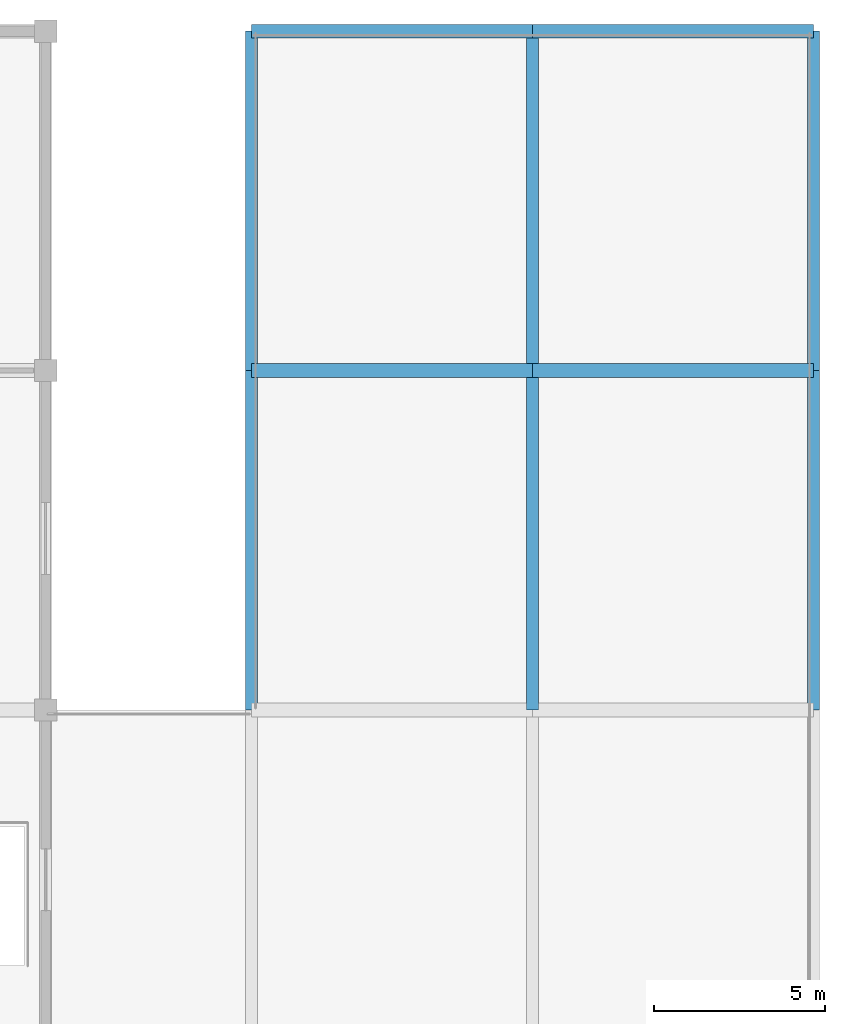
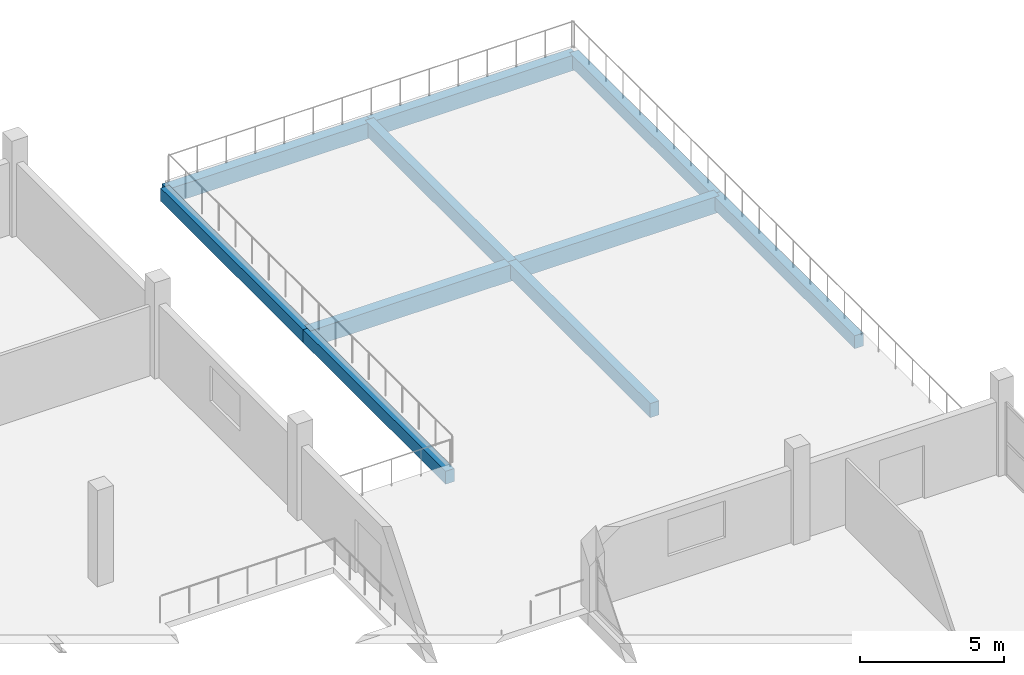
# One storey, part 40 of 53: 10 beams.
"""IFC4 building model written with IfcOpenShell, lengths in metres."""

from ifc_helpers import new_model, si_unit, direction, frame, origin, origin_2d, place, context, subcontext, project, spatial, rectangle, extrude, material, material_profile, profile_set, type_object, element, save


model = new_model("IFC4")

# Units and contexts
model_context = context("Model", 3, precision=1e-05, world=origin(), true_north=direction((0.0, 1.0)))
body_context = subcontext(model_context, "Body", "Model", "MODEL_VIEW")
ifc_project = project(units=[si_unit("LENGTHUNIT", "METRE"), si_unit("AREAUNIT", "SQUARE_METRE"), si_unit("VOLUMEUNIT", "CUBIC_METRE"), si_unit("PLANEANGLEUNIT", "RADIAN"), si_unit("MASSUNIT", "GRAM", prefix="KILO")], contexts=[model_context])

# Site, building, storey
site_placement = place(None, origin())
site = spatial("IfcSite", under=ifc_project, at=site_placement, CompositionType="ELEMENT")
building_placement = place(site_placement, origin())
building = spatial("IfcBuilding", under=site, at=building_placement, Name="Sillaruma Civic Art Gallery", CompositionType="ELEMENT")
storey_placement = place(building_placement, frame((0.0, 0.0, 70.3798828125)))
storey = spatial("IfcBuildingStorey", under=building, at=storey_placement, Name="L14", CompositionType="ELEMENT", Elevation=70.3798828125)

# Beams
ifc_material = material(Name="Concrete H35 (35 MPa)", Category="concrete")
ifc_material_profile_1 = material_profile(ifc_material, rectangle(XDim=0.35009765625, YDim=0.60009765625, at=origin_2d()), Name="RCB350x600")
ifc_profile_set_1 = profile_set([ifc_material_profile_1], Name="Concrete H35 (35 MPa)")
beam_type_1 = type_object("IfcBeamType", Name="BM-BEAM-RCB350x600", PredefinedType="BEAM", material=ifc_profile_set_1)
beam_1_placement = place(storey_placement, frame((106.199951171875, 79.199951171875, -0.5498046875), z_axis=(0.0, 1.0, 0.0), x_axis=(-1.0, 0.0, 0.0)))
element("IfcBeam", 1, at=beam_1_placement, inside=storey, type_object=beam_type_1, Name="Beam BM-06 (L13:M:9-10)", PredefinedType="BEAM", context=body_context, shape_type="SweptSolid", body=[
    extrude(rectangle(XDim=0.35009765625, YDim=0.60009765625, at=origin_2d()), origin(), (0.0, 0.0, 1.0), 9.900146484375),
])
beam_2_placement = place(storey_placement, frame((106.199951171875, 89.10009765625, -0.5498046875), z_axis=(0.0, 1.0, 0.0), x_axis=(-1.0, 0.0, 0.0)))
element("IfcBeam", 2, at=beam_2_placement, inside=storey, type_object=beam_type_1, Name="Beam BM-06 (L13:M:10-11)", PredefinedType="BEAM", context=body_context, shape_type="SweptSolid", body=[
    extrude(rectangle(XDim=0.35009765625, YDim=0.60009765625, at=origin_2d()), origin(), (0.0, 0.0, 1.0), 9.89990234375),
])
ifc_material_profile_2 = material_profile(ifc_material, rectangle(XDim=0.39990234375, YDim=0.699951171875, at=origin_2d()), Name="RCB400x700")
ifc_profile_set_2 = profile_set([ifc_material_profile_2], Name="Concrete H35 (35 MPa)")
beam_type_2 = type_object("IfcBeamType", Name="BM-BEAM-RCB400x700", PredefinedType="BEAM", material=ifc_profile_set_2)
for number, where, z_axis, x_axis, name in (
    (3, (98.0, 89.10009765625, -0.599853515625), (1.0, 0.0, 0.0), (0.0, 1.0, 0.0), "Beam BM-04 (L13:10:L-M)"),
    (4, (106.199951171875, 89.10009765625, -0.599853515625), (1.0, 0.0, 0.0), (0.0, 1.0, 0.0), "Beam BM-04 (L13:10:M-N)"),
):
    element("IfcBeam", number, at=place(storey_placement, frame(where, z_axis=z_axis, x_axis=x_axis)), inside=storey, type_object=beam_type_2, Name=name, PredefinedType="BEAM", context=body_context, shape_type="SweptSolid", body=[
        extrude(rectangle(XDim=0.39990234375, YDim=0.699951171875, at=origin_2d()), origin(), (0.0, 0.0, 1.0), 8.199951171875),
    ])
ifc_material_profile_3 = material_profile(ifc_material, rectangle(XDim=0.35009765625, YDim=0.550048828125, at=origin_2d()), Name="RCB350x550")
ifc_profile_set_3 = profile_set([ifc_material_profile_3], Name="Concrete H35 (35 MPa)")
beam_type_3 = type_object("IfcBeamType", Name="BM-SPANDREL-RCB350x550", PredefinedType="SPANDREL", material=ifc_profile_set_3)
beam_3_placement = place(storey_placement, frame((98.0, 79.199951171875, -0.52490234375), z_axis=(0.0, 1.0, 0.0), x_axis=(-1.0, 0.0, 0.0)))
element("IfcBeam", 5, at=beam_3_placement, inside=storey, type_object=beam_type_3, Name="Beam BS-04 (L13:L:9-10)", PredefinedType="SPANDREL", context=body_context, shape_type="SweptSolid", body=[
    extrude(rectangle(XDim=0.35009765625, YDim=0.550048828125, at=origin_2d()), origin(), (0.0, 0.0, 1.0), 9.900146484375),
])
beam_4_placement = place(storey_placement, frame((98.0, 89.10009765625, -0.52490234375), z_axis=(0.0, 1.0, 0.0), x_axis=(-1.0, 0.0, 0.0)))
element("IfcBeam", 6, at=beam_4_placement, inside=storey, type_object=beam_type_3, Name="Beam BS-04 (L13:L:10-11)", PredefinedType="SPANDREL", context=body_context, shape_type="SweptSolid", body=[
    extrude(rectangle(XDim=0.35009765625, YDim=0.550048828125, at=origin_2d()), origin(), (0.0, 0.0, 1.0), 9.89990234375),
])
beam_5_placement = place(storey_placement, frame((114.39990234375, 79.199951171875, -0.52490234375), z_axis=(0.0, 1.0, 0.0), x_axis=(-1.0, 0.0, 0.0)))
element("IfcBeam", 7, at=beam_5_placement, inside=storey, type_object=beam_type_3, Name="Beam BS-04 (L13:N:9-10)", PredefinedType="SPANDREL", context=body_context, shape_type="SweptSolid", body=[
    extrude(rectangle(XDim=0.35009765625, YDim=0.550048828125, at=origin_2d()), origin(), (0.0, 0.0, 1.0), 9.900146484375),
])
beam_6_placement = place(storey_placement, frame((114.39990234375, 89.10009765625, -0.52490234375), z_axis=(0.0, 1.0, 0.0), x_axis=(-1.0, 0.0, 0.0)))
element("IfcBeam", 8, at=beam_6_placement, inside=storey, type_object=beam_type_3, Name="Beam BS-04 (L13:N:10-11)", PredefinedType="SPANDREL", context=body_context, shape_type="SweptSolid", body=[
    extrude(rectangle(XDim=0.35009765625, YDim=0.550048828125, at=origin_2d()), origin(), (0.0, 0.0, 1.0), 9.89990234375),
])
ifc_material_profile_4 = material_profile(ifc_material, rectangle(XDim=0.39990234375, YDim=0.64990234375, at=origin_2d()), Name="RCB400x650")
ifc_profile_set_4 = profile_set([ifc_material_profile_4], Name="Concrete H35 (35 MPa)")
beam_type_4 = type_object("IfcBeamType", Name="BM-SPANDREL-RCB400x650", PredefinedType="SPANDREL", material=ifc_profile_set_4)
for number, where, z_axis, x_axis, name in (
    (9, (98.0, 99.0, -0.574951171875), (1.0, 0.0, 0.0), (0.0, 1.0, 0.0), "Beam BS-02 (L13:11:L-M)"),
    (10, (106.199951171875, 99.0, -0.574951171875), (1.0, 0.0, 0.0), (0.0, 1.0, 0.0), "Beam BS-02 (L13:11:M-N)"),
):
    element("IfcBeam", number, at=place(storey_placement, frame(where, z_axis=z_axis, x_axis=x_axis)), inside=storey, type_object=beam_type_4, Name=name, PredefinedType="SPANDREL", context=body_context, shape_type="SweptSolid", body=[
        extrude(rectangle(XDim=0.39990234375, YDim=0.64990234375, at=origin_2d()), origin(), (0.0, 0.0, 1.0), 8.199951171875),
    ])

save(model, "model.ifc")
